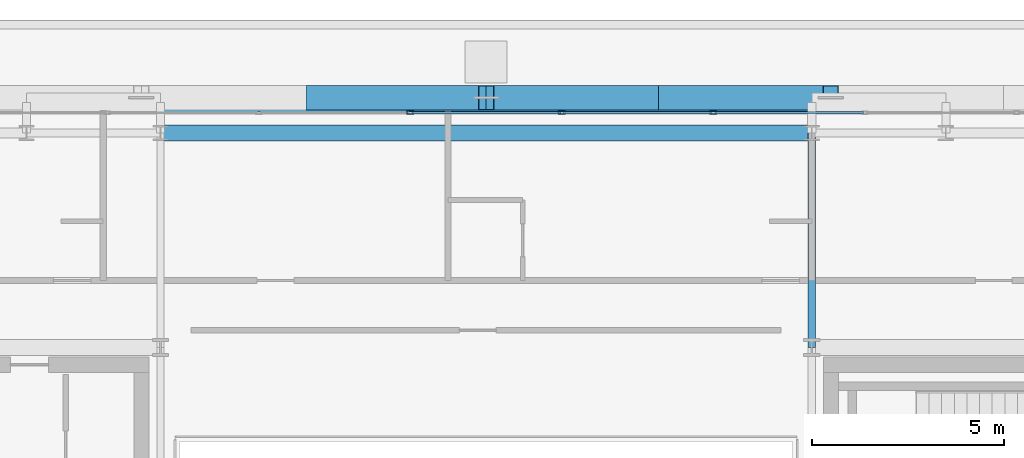
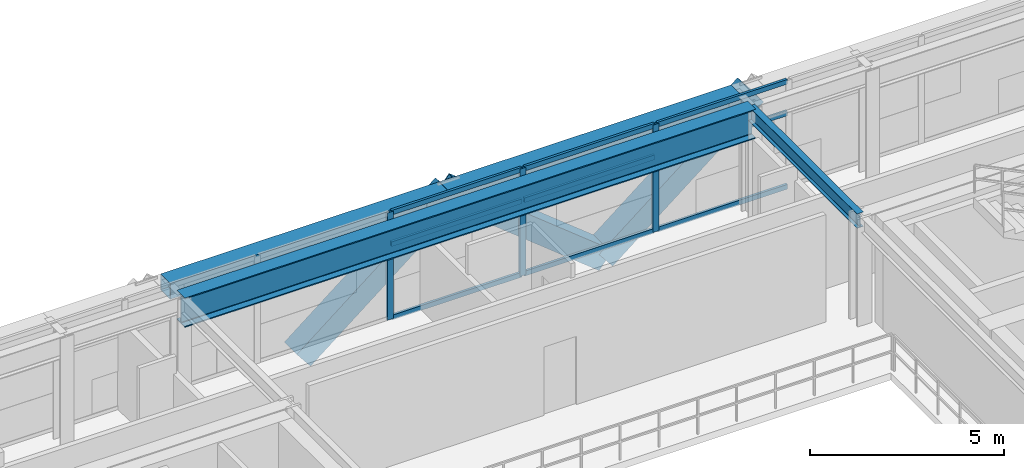
# One storey, part 14 of 27: 15 members, 3 beams, 1 element without a shape of its own.
"""IFC4 building model written with IfcOpenShell, lengths in metres."""

from ifc_helpers import new_model, si_unit, direction, frame, origin, origin_2d, place, context, subcontext, project, spatial, hollow_rectangle, i_section, extrude, source, transform, mapped, material, layer, layer_set, material_profile, profile_set, type_object, element, aggregate, save


model = new_model("IFC4")

# Units and contexts
model_context = context("Model", 3, precision=1e-05, world=origin(), true_north=direction((0.0, 1.0)))
body_context = subcontext(model_context, "Body", "Model", "MODEL_VIEW")
ifc_project = project(units=[si_unit("LENGTHUNIT", "METRE"), si_unit("AREAUNIT", "SQUARE_METRE"), si_unit("VOLUMEUNIT", "CUBIC_METRE"), si_unit("PLANEANGLEUNIT", "RADIAN"), si_unit("MASSUNIT", "GRAM", prefix="KILO")], contexts=[model_context])

# Site, building, storey
site_placement = place(None, origin())
site = spatial("IfcSite", under=ifc_project, at=site_placement, CompositionType="ELEMENT")
building_placement = place(site_placement, origin())
building = spatial("IfcBuilding", under=site, at=building_placement, Name="Ocotamira Hotel", CompositionType="ELEMENT")
storey_placement = place(building_placement, frame((0.0, 0.0, 232.800048828125)))
storey = spatial("IfcBuildingStorey", under=building, at=storey_placement, Name="L58", CompositionType="ELEMENT", Elevation=232.800048828125)

# Beams
ifc_material_1 = material(Name="Steel ASTM A992 Grade 50", Category="steel")
ifc_material_profile_1 = material_profile(ifc_material_1, i_section(OverallWidth=0.41796875, OverallDepth=0.927001953125, WebThickness=0.019287109375, FlangeThickness=0.031982421875, FilletRadius=0.02392578125, at=origin_2d()), Name="W36X231")
ifc_profile_set_1 = profile_set([ifc_material_profile_1], Name="Steel ASTM A992 Grade 50")
beam_type_1 = type_object("IfcBeamType", Name="BM-GIRD-W36X231", PredefinedType="BEAM", material=ifc_profile_set_1)
shared_shape_1 = source(origin(), body_context, "Body", "SweptSolid", [
    extrude(i_section(OverallWidth=0.41796875, OverallDepth=0.927001953125, WebThickness=0.019287109375, FlangeThickness=0.031982421875, FilletRadius=0.02392578125, at=origin_2d()), origin(), (0.0, 0.0, 1.0), 17.0),
])
beam_1_placement = place(storey_placement, frame((23.5, 43.050048828125, 2.91650390625), z_axis=(1.0, 0.0, 0.0), x_axis=(0.0, 1.0, 0.0)))
element("IfcBeam", 1, at=beam_1_placement, inside=storey, type_object=beam_type_1, Name="L58 Girder Y43.05 X23.5-40.5", PredefinedType="BEAM", context=body_context, shape_type="MappedRepresentation", body=[
    mapped(shared_shape_1, transform((0.0, 0.0, 0.0), scale=1.0)),
])
ifc_material_2 = material(Name="Steel ASTM A500 Grade C", Category="steel")
ifc_material_profile_2 = material_profile(ifc_material_2, hollow_rectangle(XDim=0.5, YDim=0.5, WallThickness=0.02001953125, at=origin_2d()), Name="HSS500X500X20")
ifc_profile_set_2 = profile_set([ifc_material_profile_2], Name="Steel ASTM A500 Grade C")
beam_type_2 = type_object("IfcBeamType", Name="BM-SPAN-HSS500", PredefinedType="USERDEFINED", material=ifc_profile_set_2)
shared_shape_2 = source(origin(), body_context, "Body", "SweptSolid", [
    extrude(hollow_rectangle(XDim=0.5, YDim=0.5, WallThickness=0.02001953125, at=origin_2d()), origin(), (0.0, 0.0, 1.0), 17.0),
])
beam_2_placement = place(storey_placement, frame((23.5, 43.85009765625, 3.1298828125), z_axis=(1.0, 0.0, 0.0), x_axis=(0.0, 1.0, 0.0)))
element("IfcBeam", 2, at=beam_2_placement, inside=storey, type_object=beam_type_2, Name="L58 Edge Spandrel N X23.5-40.5", ObjectType="SPANDREL", PredefinedType="USERDEFINED", context=body_context, shape_type="MappedRepresentation", body=[
    mapped(shared_shape_2, transform((0.0, 0.0, 0.0), scale=1.0)),
])
ifc_material_profile_3 = material_profile(ifc_material_1, i_section(OverallWidth=0.18994140625, OverallDepth=0.45703125, WebThickness=0.009033203125, FlangeThickness=0.014404296875, FilletRadius=0.010009765625, at=origin_2d()), Name="W18X50")
ifc_profile_set_3 = profile_set([ifc_material_profile_3], Name="Steel ASTM A992 Grade 50")
beam_type_3 = type_object("IfcBeamType", Name="BM-SEC-W18X50", PredefinedType="JOIST", material=ifc_profile_set_3)
shared_shape_3 = source(origin(), body_context, "Body", "SweptSolid", [
    extrude(i_section(OverallWidth=0.18994140625, OverallDepth=0.45703125, WebThickness=0.009033203125, FlangeThickness=0.014404296875, FilletRadius=0.010009765625, at=origin_2d()), origin(), (0.0, 0.0, 1.0), 5.60009765625),
])
beam_3_placement = place(storey_placement, frame((40.5, 37.449951171875, 3.1513671875), z_axis=(0.0, 1.0, 0.0), x_axis=(-1.0, 0.0, 0.0)))
element("IfcBeam", 3, at=beam_3_placement, inside=storey, type_object=beam_type_3, Name="L58 Beam X40.5 Y37.45-43.05", PredefinedType="JOIST", context=body_context, shape_type="MappedRepresentation", body=[
    mapped(shared_shape_3, transform((0.0, 0.0, 0.0), scale=1.0)),
])

# Members
ifc_material_3 = material(Name="Pale-metal coated steel ASTM A913 Grade 65", Category="steel")
ifc_material_profile_4 = material_profile(ifc_material_3, hollow_rectangle(XDim=0.64990234375, YDim=0.64990234375, WallThickness=0.02197265625, at=origin_2d()), Name="BOX650X650X22")
ifc_profile_set_4 = profile_set([ifc_material_profile_4], Name="Pale-metal coated steel ASTM A913 Grade 65")
member_type_1 = type_object("IfcMemberType", Name="MEM-EXO-BOX650", PredefinedType="BRACE", material=ifc_profile_set_4)
shared_shape_4 = source(origin(), body_context, "Body", "SweptSolid", [
    extrude(hollow_rectangle(XDim=0.64990234375, YDim=0.64990234375, WallThickness=0.02197265625, at=origin_2d()), origin(), (0.0, 0.0, 1.0), 5.7626953125),
])
for number, where, z_axis, x_axis, name in (
    (4, (27.5, 43.969970703125, -0.469970703125), (0.780881208953, 0.0, 0.624679547852), (0.0, 1.0, 0.0), "L58 Exoskeleton Diagrid N1.2"),
    (5, (36.5, 43.969970703125, -0.469970703125), (-0.780881208953, 0.0, 0.624679547852), (0.0, -1.0, 0.0), "L58 Exoskeleton Diagrid N2.1"),
    (6, (36.5, 43.969970703125, -0.469970703125), (0.780881208953, 0.0, 0.624679547852), (0.0, 1.0, 0.0), "L58 Exoskeleton Diagrid N2.2"),
):
    element("IfcMember", number, at=place(storey_placement, frame(where, z_axis=z_axis, x_axis=x_axis)), inside=storey, type_object=member_type_1, Name=name, PredefinedType="BRACE", context=body_context, shape_type="MappedRepresentation", body=[
        mapped(shared_shape_4, transform((0.0, 0.0, 0.0), scale=1.0)),
    ])

# Curtain wall, members
ifc_material_4 = material(Name="Anodised pale-metal aluminium and solar glass", Category="aluminium")
ifc_layer = layer(ifc_material_4, 0.239990234375)
ifc_layer_set = layer_set([ifc_layer], Name="Anodised pale-metal aluminium and solar glass")
curtain_wall_type = type_object("IfcCurtainWallType", Name="CW-SYS5-SKY", PredefinedType="NOTDEFINED", material=ifc_layer_set)
curtain_wall_placement = place(storey_placement, origin())
curtain_wall = element("IfcCurtainWall", 7, at=curtain_wall_placement, inside=storey, type_object=curtain_wall_type, Name="L58 Curtain Wall CW-5 CW-L58-N", PredefinedType="NOTDEFINED")
ifc_material_5 = material(Name="Anodised pale-metal aluminium 6063-T6", Category="aluminium")
ifc_material_profile_5 = material_profile(ifc_material_5, hollow_rectangle(XDim=0.074951171875, YDim=0.14990234375, WallThickness=0.006103515625, at=origin_2d()), Name="HSS150X75X6")
ifc_profile_set_5 = profile_set([ifc_material_profile_5], Name="Anodised pale-metal aluminium 6063-T6")
member_type_2 = type_object("IfcMemberType", Name="CWT-150X75", PredefinedType="USERDEFINED", material=ifc_profile_set_5)
shared_shape_5 = source(origin(), body_context, "Body", "SweptSolid", [
    extrude(hollow_rectangle(XDim=0.074951171875, YDim=0.14990234375, WallThickness=0.006103515625, at=origin_2d()), origin(), (0.0, 0.0, 1.0), 3.87548828125),
])
member_1_placement = place(storey_placement, frame((30.062255859375, 43.580078125, 0.037353515625), z_axis=(1.0, 0.0, 0.0), x_axis=(0.0, 1.0, 0.0)))
member_1 = element("IfcMember", 8, at=member_1_placement, type_object=member_type_2, Name="CW-5 transom 5.1", ObjectType="TRANSOM", PredefinedType="USERDEFINED", context=body_context, shape_type="MappedRepresentation", body=[
    mapped(shared_shape_5, transform((0.0, 0.0, 0.0), scale=1.0)),
])
member_2_placement = place(storey_placement, frame((30.062255859375, 43.580078125, 2.349853515625), z_axis=(1.0, 0.0, 0.0), x_axis=(0.0, 1.0, 0.0)))
member_2 = element("IfcMember", 9, at=member_2_placement, type_object=member_type_2, Name="CW-5 transom 5.2", ObjectType="TRANSOM", PredefinedType="USERDEFINED", context=body_context, shape_type="MappedRepresentation", body=[
    mapped(shared_shape_5, transform((0.0, 0.0, 0.0), scale=1.0)),
])
member_3_placement = place(storey_placement, frame((30.062255859375, 43.580078125, 3.342529296875), z_axis=(1.0, 0.0, 0.0), x_axis=(0.0, 1.0, 0.0)))
member_3 = element("IfcMember", 10, at=member_3_placement, type_object=member_type_2, Name="CW-5 transom 5.3", ObjectType="TRANSOM", PredefinedType="USERDEFINED", context=body_context, shape_type="MappedRepresentation", body=[
    mapped(shared_shape_5, transform((0.0, 0.0, 0.0), scale=1.0)),
])
member_4_placement = place(storey_placement, frame((34.017822265625, 43.580078125, 0.037353515625), z_axis=(1.0, 0.0, 0.0), x_axis=(0.0, 1.0, 0.0)))
member_4 = element("IfcMember", 11, at=member_4_placement, type_object=member_type_2, Name="CW-5 transom 6.1", ObjectType="TRANSOM", PredefinedType="USERDEFINED", context=body_context, shape_type="MappedRepresentation", body=[
    mapped(shared_shape_5, transform((0.0, 0.0, 0.0), scale=1.0)),
])
member_5_placement = place(storey_placement, frame((34.017822265625, 43.580078125, 2.349853515625), z_axis=(1.0, 0.0, 0.0), x_axis=(0.0, 1.0, 0.0)))
member_5 = element("IfcMember", 12, at=member_5_placement, type_object=member_type_2, Name="CW-5 transom 6.2", ObjectType="TRANSOM", PredefinedType="USERDEFINED", context=body_context, shape_type="MappedRepresentation", body=[
    mapped(shared_shape_5, transform((0.0, 0.0, 0.0), scale=1.0)),
])
member_6_placement = place(storey_placement, frame((34.017822265625, 43.580078125, 3.342529296875), z_axis=(1.0, 0.0, 0.0), x_axis=(0.0, 1.0, 0.0)))
member_6 = element("IfcMember", 13, at=member_6_placement, type_object=member_type_2, Name="CW-5 transom 6.3", ObjectType="TRANSOM", PredefinedType="USERDEFINED", context=body_context, shape_type="MappedRepresentation", body=[
    mapped(shared_shape_5, transform((0.0, 0.0, 0.0), scale=1.0)),
])
member_7_placement = place(storey_placement, frame((37.973388671875, 43.580078125, 0.037353515625), z_axis=(1.0, 0.0, 0.0), x_axis=(0.0, 1.0, 0.0)))
member_7 = element("IfcMember", 14, at=member_7_placement, type_object=member_type_2, Name="CW-5 transom 7.1", ObjectType="TRANSOM", PredefinedType="USERDEFINED", context=body_context, shape_type="MappedRepresentation", body=[
    mapped(shared_shape_5, transform((0.0, 0.0, 0.0), scale=1.0)),
])
member_8_placement = place(storey_placement, frame((37.973388671875, 43.580078125, 2.349853515625), z_axis=(1.0, 0.0, 0.0), x_axis=(0.0, 1.0, 0.0)))
member_8 = element("IfcMember", 15, at=member_8_placement, type_object=member_type_2, Name="CW-5 transom 7.2", ObjectType="TRANSOM", PredefinedType="USERDEFINED", context=body_context, shape_type="MappedRepresentation", body=[
    mapped(shared_shape_5, transform((0.0, 0.0, 0.0), scale=1.0)),
])
member_9_placement = place(storey_placement, frame((37.973388671875, 43.580078125, 3.342529296875), z_axis=(1.0, 0.0, 0.0), x_axis=(0.0, 1.0, 0.0)))
member_9 = element("IfcMember", 16, at=member_9_placement, type_object=member_type_2, Name="CW-5 transom 7.3", ObjectType="TRANSOM", PredefinedType="USERDEFINED", context=body_context, shape_type="MappedRepresentation", body=[
    mapped(shared_shape_5, transform((0.0, 0.0, 0.0), scale=1.0)),
])
ifc_material_profile_6 = material_profile(ifc_material_5, hollow_rectangle(XDim=0.080078125, YDim=0.179931640625, WallThickness=0.006103515625, at=origin_2d()), Name="HSS180X80X6")
ifc_profile_set_6 = profile_set([ifc_material_profile_6], Name="Anodised pale-metal aluminium 6063-T6")
member_type_3 = type_object("IfcMemberType", Name="CWM-180X75", PredefinedType="MULLION", material=ifc_profile_set_6)
shared_shape_6 = source(origin(), body_context, "Body", "SweptSolid", [
    extrude(hollow_rectangle(XDim=0.080078125, YDim=0.179931640625, WallThickness=0.006103515625, at=origin_2d()), origin(), (0.0, 0.0, 1.0), 3.3798828125),
])
member_10_placement = place(storey_placement, frame((30.022216796875, 43.580078125, 0.0), z_axis=(0.0, 0.0, 1.0), x_axis=(0.0, 1.0, 0.0)))
member_10 = element("IfcMember", 17, at=member_10_placement, type_object=member_type_3, Name="CW-5 mullion 5", PredefinedType="MULLION", context=body_context, shape_type="MappedRepresentation", body=[
    mapped(shared_shape_6, transform((0.0, 0.0, 0.0), scale=1.0)),
])
member_11_placement = place(storey_placement, frame((33.977783203125, 43.580078125, 0.0), z_axis=(0.0, 0.0, 1.0), x_axis=(0.0, 1.0, 0.0)))
member_11 = element("IfcMember", 18, at=member_11_placement, type_object=member_type_3, Name="CW-5 mullion 6", PredefinedType="MULLION", context=body_context, shape_type="MappedRepresentation", body=[
    mapped(shared_shape_6, transform((0.0, 0.0, 0.0), scale=1.0)),
])
member_12_placement = place(storey_placement, frame((37.933349609375, 43.580078125, 0.0), z_axis=(0.0, 0.0, 1.0), x_axis=(0.0, 1.0, 0.0)))
member_12 = element("IfcMember", 19, at=member_12_placement, type_object=member_type_3, Name="CW-5 mullion 7", PredefinedType="MULLION", context=body_context, shape_type="MappedRepresentation", body=[
    mapped(shared_shape_6, transform((0.0, 0.0, 0.0), scale=1.0)),
])
aggregate(curtain_wall, [member_10, member_11, member_12, member_1, member_2, member_3, member_4, member_5, member_6, member_7, member_8, member_9])

save(model, "model.ifc")
